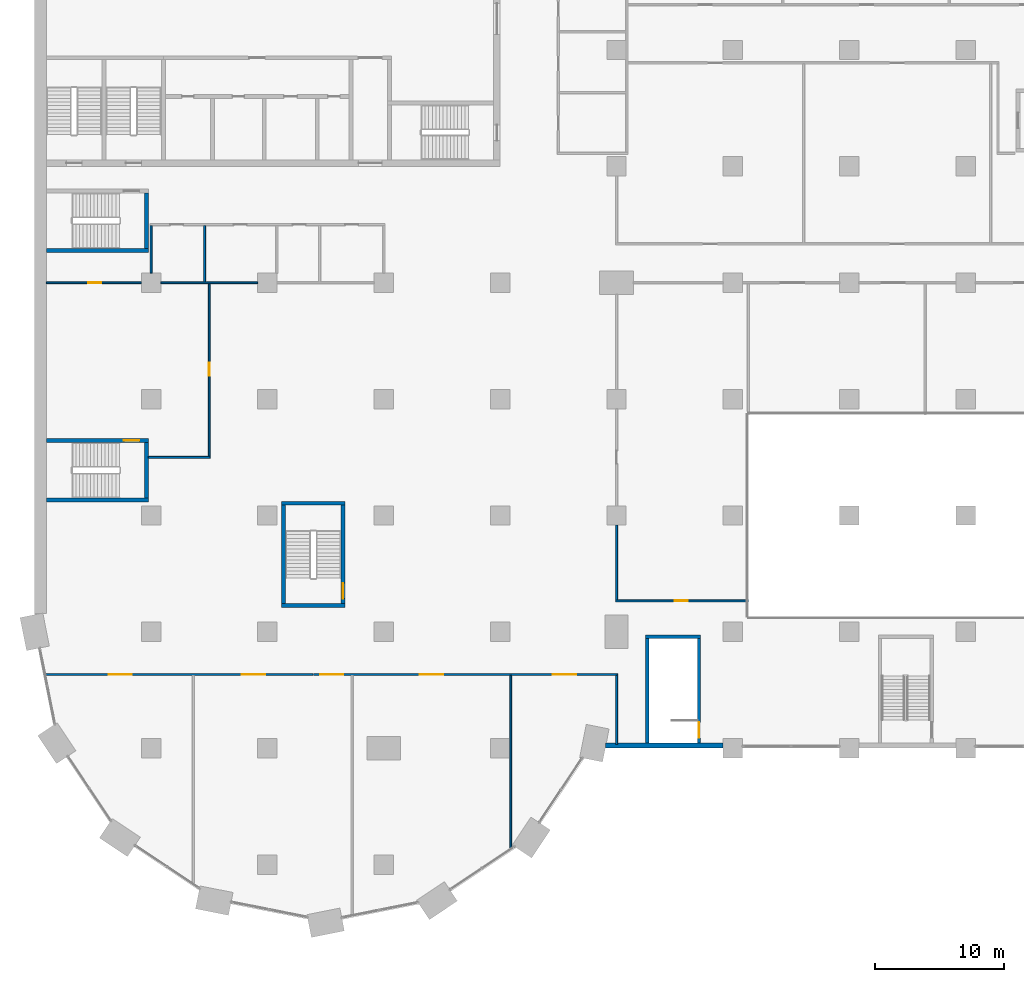
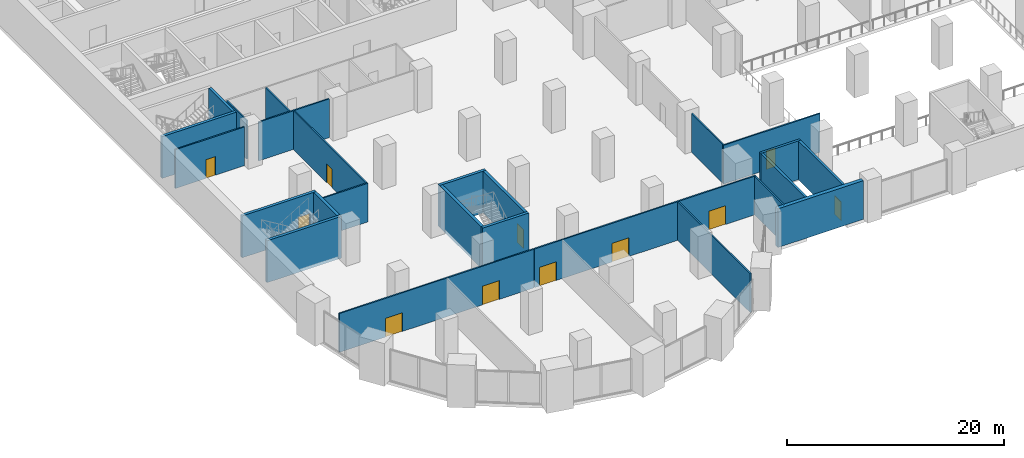
# One storey, part 13 of 32: 25 walls, 11 doors, 11 openings.
"""IFC4 building model written with IfcOpenShell, lengths in metres."""

from ifc_helpers import new_model, si_unit, direction, frame, frame_2d, origin, place, context, subcontext, project, spatial, rectangle, extrude, material, layer, layer_set, type_object, element, fill, save


model = new_model("IFC4")

# Units and contexts
model_context = context("Model", 3, precision=1e-05, world=origin(), true_north=direction((0.0, 1.0)))
body_context = subcontext(model_context, "Body", "Model", "MODEL_VIEW")
ifc_project = project(units=[si_unit("LENGTHUNIT", "METRE"), si_unit("AREAUNIT", "SQUARE_METRE"), si_unit("VOLUMEUNIT", "CUBIC_METRE"), si_unit("PLANEANGLEUNIT", "RADIAN"), si_unit("MASSUNIT", "GRAM", prefix="KILO")], contexts=[model_context])

# Site, building, storey
site_placement = place(None, origin())
site = spatial("IfcSite", under=ifc_project, at=site_placement, CompositionType="ELEMENT")
building_placement = place(site_placement, origin())
building = spatial("IfcBuilding", under=site, at=building_placement, Name="Hunhe Ridgeline Campus", CompositionType="ELEMENT")
storey_placement = place(building_placement, frame((0.0, 0.0, 26.39990234375)))
storey = spatial("IfcBuildingStorey", under=building, at=storey_placement, Name="L05", CompositionType="ELEMENT", Elevation=26.39990234375)

# Wall, opening, door
ifc_material_1 = material(Name="Plastered blockwork", Category="masonry")
ifc_layer_1 = layer(ifc_material_1, 0.14990234375)
ifc_layer_set_1 = layer_set([ifc_layer_1], Name="Blockwork partition 150")
wall_type_1 = type_object("IfcWallType", Name="Blockwork partition 150", PredefinedType="PARTITIONING", material=ifc_layer_set_1)
wall_1_placement = place(storey_placement, frame((55.199951171875, 29.39990234375, 0.0), z_axis=(0.0, 0.0, 1.0), x_axis=(-1.0, 0.0, 0.0)))
wall_1 = element("IfcWall", 1, at=wall_1_placement, inside=storey, type_object=wall_type_1, Name="L05 partition", PredefinedType="PARTITIONING", context=body_context, shape_type="SweptSolid", body=[
    extrude(rectangle(XDim=10.27490234375, YDim=0.14990234375, at=frame_2d((5.137451171875, 0.0))), origin(), (0.0, 0.0, 1.0), 4.35009765625),
])
opening_1_placement = place(wall_1_placement, frame((4.699951171875, 0.0, 0.0)))
opening_1 = element("IfcOpeningElement", 2, at=opening_1_placement, cuts=wall_1, Name="Opening PD608", PredefinedType="OPENING", context=body_context, shape_type="SweptSolid", body=[
    extrude(rectangle(XDim=1.0, YDim=2.10009765625, at=frame_2d((0.5, 1.050048828125))), frame((0.0, 0.074951171875, 0.0), z_axis=(0.0, -1.0, 0.0), x_axis=(1.0, 0.0, 0.0)), (0.0, 0.0, 1.0), 0.14990234375),
])
ifc_material_2 = material(Name="Timber", Category="wood")
door_type_1 = type_object("IfcDoorType", Name="Podium timber door 1000x2100", OperationType="NOTDEFINED", PredefinedType="DOOR", material=ifc_material_2)
door_1_placement = place(opening_1_placement, origin())
door_1 = element("IfcDoor", 3, at=door_1_placement, inside=storey, type_object=door_type_1, Name="Archive Store door", OperationType="SINGLE_SWING_RIGHT", OverallHeight=2.10009765625, OverallWidth=1.0, PredefinedType="DOOR", context=body_context, shape_type="SweptSolid", body=[
    extrude(rectangle(XDim=1.0, YDim=2.10009765625, at=frame_2d((0.5, 1.050048828125))), frame((0.0, 0.02490234375, 0.0), z_axis=(0.0, -1.0, 0.0), x_axis=(1.0, 0.0, 0.0)), (0.0, 0.0, 1.0), 0.050048828125),
])
fill(opening_1, door_1)

# Walls
wall_2_placement = place(storey_placement, frame((45.0, 23.625, 0.0), z_axis=(0.0, 0.0, 1.0), x_axis=(0.0, -1.0, 0.0)))
element("IfcWall", 4, at=wall_2_placement, inside=storey, type_object=wall_type_1, Name="L05 partition", PredefinedType="PARTITIONING", context=body_context, shape_type="SweptSolid", body=[
    extrude(rectangle(XDim=5.324951171875, YDim=0.14990234375, at=frame_2d((2.66259765625, 0.0))), origin(), (0.0, 0.0, 1.0), 4.35009765625),
])
wall_3_placement = place(storey_placement, frame((45.0, 29.47509765625, 0.0), z_axis=(0.0, 0.0, 1.0), x_axis=(0.0, 1.0, 0.0)))
element("IfcWall", 5, at=wall_3_placement, inside=storey, type_object=wall_type_1, Name="L05 partition", PredefinedType="PARTITIONING", context=body_context, shape_type="SweptSolid", body=[
    extrude(rectangle(XDim=5.77490234375, YDim=0.14990234375, at=frame_2d((2.887451171875, 0.0))), origin(), (0.0, 0.0, 1.0), 4.35009765625),
])

# Wall, opening, door
wall_4_placement = place(storey_placement, frame((0.89990234375, 54.0, 0.0), z_axis=(0.0, 0.0, 1.0), x_axis=(1.0, 0.0, 0.0)))
wall_4 = element("IfcWall", 6, at=wall_4_placement, inside=storey, type_object=wall_type_1, Name="L05 partition", PredefinedType="PARTITIONING", context=body_context, shape_type="SweptSolid", body=[
    extrude(rectangle(XDim=7.35009765625, YDim=0.14990234375, at=frame_2d((3.675048828125, 0.0))), origin(), (0.0, 0.0, 1.0), 4.35009765625),
])
opening_2_placement = place(wall_4_placement, frame((3.25, 0.0, 0.0)))
opening_2 = element("IfcOpeningElement", 7, at=opening_2_placement, cuts=wall_4, Name="Opening PD621", PredefinedType="OPENING", context=body_context, shape_type="SweptSolid", body=[
    extrude(rectangle(XDim=1.0, YDim=2.10009765625, at=frame_2d((0.5, 1.050048828125))), frame((0.0, 0.074951171875, 0.0), z_axis=(0.0, -1.0, 0.0), x_axis=(1.0, 0.0, 0.0)), (0.0, 0.0, 1.0), 0.14990234375),
])
door_2_placement = place(opening_2_placement, origin())
door_2 = element("IfcDoor", 8, at=door_2_placement, inside=storey, type_object=door_type_1, Name="Archivist Office door", OperationType="SINGLE_SWING_RIGHT", OverallHeight=2.10009765625, OverallWidth=1.0, PredefinedType="DOOR", context=body_context, shape_type="SweptSolid", body=[
    extrude(rectangle(XDim=1.0, YDim=2.10009765625, at=frame_2d((0.5, 1.050048828125))), frame((0.0, 0.02490234375, 0.0), z_axis=(0.0, -1.0, 0.0), x_axis=(1.0, 0.0, 0.0)), (0.0, 0.0, 1.0), 0.050048828125),
])
fill(opening_2, door_2)

# Wall
wall_5_placement = place(storey_placement, frame((9.75, 54.0, 0.0), z_axis=(0.0, 0.0, 1.0), x_axis=(1.0, 0.0, 0.0)))
element("IfcWall", 9, at=wall_5_placement, inside=storey, type_object=wall_type_1, Name="L05 partition", PredefinedType="PARTITIONING", context=body_context, shape_type="SweptSolid", body=[
    extrude(rectangle(XDim=7.5, YDim=0.14990234375, at=frame_2d((3.75, 0.0))), origin(), (0.0, 0.0, 1.0), 4.35009765625),
])

# Wall, openings, doors
wall_6_placement = place(storey_placement, frame((0.842041015625, 23.699951171875, 0.0), z_axis=(0.0, 0.0, 1.0), x_axis=(1.0, 0.0, 0.0)))
wall_6 = element("IfcWall", 10, at=wall_6_placement, inside=storey, type_object=wall_type_1, Name="L05 partition", PredefinedType="PARTITIONING", context=body_context, shape_type="SweptSolid", body=[
    extrude(rectangle(XDim=20.677978515625, YDim=0.14990234375, at=frame_2d((10.3388671875, 0.0))), origin(), (0.0, 0.0, 1.0), 4.35009765625),
])
opening_3_placement = place(wall_6_placement, frame((4.8701171875, 0.0, 0.0)))
opening_3 = element("IfcOpeningElement", 11, at=opening_3_placement, cuts=wall_6, Name="Opening PD615", PredefinedType="OPENING", context=body_context, shape_type="SweptSolid", body=[
    extrude(rectangle(XDim=1.800048828125, YDim=2.10009765625, at=frame_2d((0.89990234375, 1.050048828125))), frame((0.0, 0.074951171875, 0.0), z_axis=(0.0, -1.0, 0.0), x_axis=(1.0, 0.0, 0.0)), (0.0, 0.0, 1.0), 0.14990234375),
])
opening_4_placement = place(wall_6_placement, frame((15.180908203125, 0.0, 0.0)))
opening_4 = element("IfcOpeningElement", 12, at=opening_4_placement, cuts=wall_6, Name="Opening PD616", PredefinedType="OPENING", context=body_context, shape_type="SweptSolid", body=[
    extrude(rectangle(XDim=1.800048828125, YDim=2.10009765625, at=frame_2d((0.89990234375, 1.050048828125))), frame((0.0, 0.074951171875, 0.0), z_axis=(0.0, -1.0, 0.0), x_axis=(1.0, 0.0, 0.0)), (0.0, 0.0, 1.0), 0.14990234375),
])
door_type_2 = type_object("IfcDoorType", Name="Podium timber double door 1800x2100", OperationType="NOTDEFINED", PredefinedType="DOOR", material=ifc_material_2)
door_3_placement = place(opening_3_placement, origin())
door_3 = element("IfcDoor", 13, at=door_3_placement, inside=storey, type_object=door_type_2, Name="Study Rooms door", OperationType="DOUBLE_DOOR_SINGLE_SWING", OverallHeight=2.10009765625, OverallWidth=1.800048828125, PredefinedType="DOOR", context=body_context, shape_type="SweptSolid", body=[
    extrude(rectangle(XDim=1.800048828125, YDim=2.10009765625, at=frame_2d((0.89990234375, 1.050048828125))), frame((0.0, 0.02490234375, 0.0), z_axis=(0.0, -1.0, 0.0), x_axis=(1.0, 0.0, 0.0)), (0.0, 0.0, 1.0), 0.050048828125),
])
fill(opening_3, door_3)
door_4_placement = place(opening_4_placement, origin())
door_4 = element("IfcDoor", 14, at=door_4_placement, inside=storey, type_object=door_type_2, Name="Study Rooms door", OperationType="DOUBLE_DOOR_SINGLE_SWING", OverallHeight=2.10009765625, OverallWidth=1.800048828125, PredefinedType="DOOR", context=body_context, shape_type="SweptSolid", body=[
    extrude(rectangle(XDim=1.800048828125, YDim=2.10009765625, at=frame_2d((0.89990234375, 1.050048828125))), frame((0.0, 0.02490234375, 0.0), z_axis=(0.0, -1.0, 0.0), x_axis=(1.0, 0.0, 0.0)), (0.0, 0.0, 1.0), 0.050048828125),
])
fill(opening_4, door_4)

wall_7_placement = place(storey_placement, frame((21.580078125, 23.699951171875, 0.0), z_axis=(0.0, 0.0, 1.0), x_axis=(1.0, 0.0, 0.0)))
wall_7 = element("IfcWall", 15, at=wall_7_placement, inside=storey, type_object=wall_type_1, Name="L05 partition", PredefinedType="PARTITIONING", context=body_context, shape_type="SweptSolid", body=[
    extrude(rectangle(XDim=23.494873046875, YDim=0.14990234375, at=frame_2d((11.74755859375, 0.0))), origin(), (0.0, 0.0, 1.0), 4.35009765625),
])
opening_5_placement = place(wall_7_placement, frame((0.5, 0.0, 0.0)))
opening_5 = element("IfcOpeningElement", 16, at=opening_5_placement, cuts=wall_7, Name="Opening PD617", PredefinedType="OPENING", context=body_context, shape_type="SweptSolid", body=[
    extrude(rectangle(XDim=1.800048828125, YDim=2.10009765625, at=frame_2d((0.89990234375, 1.050048828125))), frame((0.0, 0.074951171875, 0.0), z_axis=(0.0, -1.0, 0.0), x_axis=(1.0, 0.0, 0.0)), (0.0, 0.0, 1.0), 0.14990234375),
])
opening_6_placement = place(wall_7_placement, frame((8.215087890625, 0.0, 0.0)))
opening_6 = element("IfcOpeningElement", 17, at=opening_6_placement, cuts=wall_7, Name="Opening PD618", PredefinedType="OPENING", context=body_context, shape_type="SweptSolid", body=[
    extrude(rectangle(XDim=1.800048828125, YDim=2.10009765625, at=frame_2d((0.89990234375, 1.050048828125))), frame((0.0, 0.074951171875, 0.0), z_axis=(0.0, -1.0, 0.0), x_axis=(1.0, 0.0, 0.0)), (0.0, 0.0, 1.0), 0.14990234375),
])
opening_7_placement = place(wall_7_placement, frame((18.488037109375, 0.0, 0.0)))
opening_7 = element("IfcOpeningElement", 18, at=opening_7_placement, cuts=wall_7, Name="Opening PD619", PredefinedType="OPENING", context=body_context, shape_type="SweptSolid", body=[
    extrude(rectangle(XDim=1.800048828125, YDim=2.10009765625, at=frame_2d((0.89990234375, 1.050048828125))), frame((0.0, 0.074951171875, 0.0), z_axis=(0.0, -1.0, 0.0), x_axis=(1.0, 0.0, 0.0)), (0.0, 0.0, 1.0), 0.14990234375),
])
door_5_placement = place(opening_5_placement, origin())
door_5 = element("IfcDoor", 19, at=door_5_placement, inside=storey, type_object=door_type_2, Name="Study Rooms door", OperationType="DOUBLE_DOOR_SINGLE_SWING", OverallHeight=2.10009765625, OverallWidth=1.800048828125, PredefinedType="DOOR", context=body_context, shape_type="SweptSolid", body=[
    extrude(rectangle(XDim=1.800048828125, YDim=2.10009765625, at=frame_2d((0.89990234375, 1.050048828125))), frame((0.0, 0.02490234375, 0.0), z_axis=(0.0, -1.0, 0.0), x_axis=(1.0, 0.0, 0.0)), (0.0, 0.0, 1.0), 0.050048828125),
])
fill(opening_5, door_5)
door_6_placement = place(opening_6_placement, origin())
door_6 = element("IfcDoor", 20, at=door_6_placement, inside=storey, type_object=door_type_2, Name="Postgraduate Study Room door", OperationType="DOUBLE_DOOR_SINGLE_SWING", OverallHeight=2.10009765625, OverallWidth=1.800048828125, PredefinedType="DOOR", context=body_context, shape_type="SweptSolid", body=[
    extrude(rectangle(XDim=1.800048828125, YDim=2.10009765625, at=frame_2d((0.89990234375, 1.050048828125))), frame((0.0, 0.02490234375, 0.0), z_axis=(0.0, -1.0, 0.0), x_axis=(1.0, 0.0, 0.0)), (0.0, 0.0, 1.0), 0.050048828125),
])
fill(opening_6, door_6)
door_7_placement = place(opening_7_placement, origin())
door_7 = element("IfcDoor", 21, at=door_7_placement, inside=storey, type_object=door_type_2, Name="Study Lounge door", OperationType="DOUBLE_DOOR_SINGLE_SWING", OverallHeight=2.10009765625, OverallWidth=1.800048828125, PredefinedType="DOOR", context=body_context, shape_type="SweptSolid", body=[
    extrude(rectangle(XDim=1.800048828125, YDim=2.10009765625, at=frame_2d((0.89990234375, 1.050048828125))), frame((0.0, 0.02490234375, 0.0), z_axis=(0.0, -1.0, 0.0), x_axis=(1.0, 0.0, 0.0)), (0.0, 0.0, 1.0), 0.050048828125),
])
fill(opening_7, door_7)

# Wall
wall_8_placement = place(storey_placement, frame((36.818115234375, 10.26708984375, 0.0), z_axis=(0.0, 0.0, 1.0), x_axis=(0.0, 1.0, 0.0)))
element("IfcWall", 22, at=wall_8_placement, inside=storey, type_object=wall_type_1, Name="L05 partition", PredefinedType="PARTITIONING", context=body_context, shape_type="SweptSolid", body=[
    extrude(rectangle(XDim=13.35791015625, YDim=0.14990234375, at=frame_2d((6.678955078125, 0.0))), origin(), (0.0, 0.0, 1.0), 4.35009765625),
])

# Wall, opening, door
wall_9_placement = place(storey_placement, frame((13.5, 53.925048828125, 0.0), z_axis=(0.0, 0.0, 1.0), x_axis=(0.0, -1.0, 0.0)))
wall_9 = element("IfcWall", 23, at=wall_9_placement, inside=storey, type_object=wall_type_1, Name="L05 partition", PredefinedType="PARTITIONING", context=body_context, shape_type="SweptSolid", body=[
    extrude(rectangle(XDim=13.35009765625, YDim=0.14990234375, at=frame_2d((6.675048828125, 0.0))), origin(), (0.0, 0.0, 1.0), 4.35009765625),
])
opening_8_placement = place(wall_9_placement, frame((6.10009765625, 0.0, 0.0)))
opening_8 = element("IfcOpeningElement", 24, at=opening_8_placement, cuts=wall_9, Name="Opening PD620", PredefinedType="OPENING", context=body_context, shape_type="SweptSolid", body=[
    extrude(rectangle(XDim=1.0, YDim=2.10009765625, at=frame_2d((0.5, 1.050048828125))), frame((0.0, 0.074951171875, 0.0), z_axis=(0.0, -1.0, 0.0), x_axis=(1.0, 0.0, 0.0)), (0.0, 0.0, 1.0), 0.14990234375),
])
door_8_placement = place(opening_8_placement, origin())
door_8 = element("IfcDoor", 25, at=door_8_placement, inside=storey, type_object=door_type_1, Name="Archivist Office door", OperationType="SINGLE_SWING_LEFT", OverallHeight=2.10009765625, OverallWidth=1.0, PredefinedType="DOOR", context=body_context, shape_type="SweptSolid", body=[
    extrude(rectangle(XDim=1.0, YDim=2.10009765625, at=frame_2d((0.5, 1.050048828125))), frame((0.0, 0.02490234375, 0.0), z_axis=(0.0, -1.0, 0.0), x_axis=(1.0, 0.0, 0.0)), (0.0, 0.0, 1.0), 0.050048828125),
])
fill(opening_8, door_8)

# Walls
wall_10_placement = place(storey_placement, frame((13.574951171875, 40.5, 0.0), z_axis=(0.0, 0.0, 1.0), x_axis=(-1.0, 0.0, 0.0)))
element("IfcWall", 26, at=wall_10_placement, inside=storey, type_object=wall_type_1, Name="L05 partition", PredefinedType="PARTITIONING", context=body_context, shape_type="SweptSolid", body=[
    extrude(rectangle(XDim=4.77490234375, YDim=0.14990234375, at=frame_2d((2.387451171875, 0.0))), origin(), (0.0, 0.0, 1.0), 4.35009765625),
])
wall_11_placement = place(storey_placement, frame((13.137939453125, 54.074951171875, 0.0), z_axis=(0.0, 0.0, 1.0), x_axis=(0.0, 1.0, 0.0)))
element("IfcWall", 27, at=wall_11_placement, inside=storey, type_object=wall_type_1, Name="L05 partition", PredefinedType="PARTITIONING", context=body_context, shape_type="SweptSolid", body=[
    extrude(rectangle(XDim=4.35009765625, YDim=0.14990234375, at=frame_2d((2.175048828125, 0.0))), origin(), (0.0, 0.0, 1.0), 4.35009765625),
])
wall_12_placement = place(storey_placement, frame((9.0, 54.75, 0.0), z_axis=(0.0, 0.0, 1.0), x_axis=(0.0, 1.0, 0.0)))
element("IfcWall", 28, at=wall_12_placement, inside=storey, type_object=wall_type_1, Name="L05 partition", PredefinedType="PARTITIONING", context=body_context, shape_type="SweptSolid", body=[
    extrude(rectangle(XDim=3.675048828125, YDim=0.14990234375, at=frame_2d((1.83740234375, 0.0))), origin(), (0.0, 0.0, 1.0), 4.35009765625),
])
ifc_material_3 = material(Name="Concrete C40", Category="concrete")
ifc_layer_2 = layer(ifc_material_3, 0.39990234375)
ifc_layer_set_2 = layer_set([ifc_layer_2], Name="Stair shaft facade wall 400 C40")
wall_type_2 = type_object("IfcWallType", Name="Stair shaft facade wall 400 C40", PredefinedType="SOLIDWALL", material=ifc_layer_set_2)
wall_13_placement = place(storey_placement, frame((53.25, 18.199951171875, 0.0), z_axis=(0.0, 0.0, 1.0), x_axis=(-1.0, 0.0, 0.0)))
element("IfcWall", 29, at=wall_13_placement, inside=storey, type_object=wall_type_2, Name="L05 stair facade wall", PredefinedType="SOLIDWALL", context=body_context, shape_type="SweptSolid", body=[
    extrude(rectangle(XDim=9.0927734375, YDim=0.39990234375, at=frame_2d((4.54638671875, 0.0))), origin(), (0.0, 0.0, 1.0), 4.35009765625),
])
ifc_layer_3 = layer(ifc_material_3, 0.25)
ifc_layer_set_3 = layer_set([ifc_layer_3], Name="Stair shaft wall 250 C40")
wall_type_3 = type_object("IfcWallType", Name="Stair shaft wall 250 C40", PredefinedType="SOLIDWALL", material=ifc_layer_set_3)
wall_14_placement = place(storey_placement, frame((47.375, 18.39990234375, 0.0), z_axis=(0.0, 0.0, 1.0), x_axis=(0.0, 1.0, 0.0)))
element("IfcWall", 30, at=wall_14_placement, inside=storey, type_object=wall_type_3, Name="L05 PS1 shaft wall", PredefinedType="SOLIDWALL", context=body_context, shape_type="SweptSolid", body=[
    extrude(rectangle(XDim=8.10009765625, YDim=0.25, at=frame_2d((4.050048828125, 0.0))), origin(), (0.0, 0.0, 1.0), 4.35009765625),
])

# Wall, opening, door
wall_15_placement = place(storey_placement, frame((51.375, 26.5, 0.0), z_axis=(0.0, 0.0, 1.0), x_axis=(0.0, -1.0, 0.0)))
wall_15 = element("IfcWall", 31, at=wall_15_placement, inside=storey, type_object=wall_type_3, Name="L05 PS1 shaft wall", PredefinedType="SOLIDWALL", context=body_context, shape_type="SweptSolid", body=[
    extrude(rectangle(XDim=8.10009765625, YDim=0.25, at=frame_2d((4.050048828125, 0.0))), origin(), (0.0, 0.0, 1.0), 4.35009765625),
])
opening_9_placement = place(wall_15_placement, frame((6.5, 0.0, 0.0)))
opening_9 = element("IfcOpeningElement", 32, at=opening_9_placement, cuts=wall_15, Name="Opening PD601", PredefinedType="OPENING", context=body_context, shape_type="SweptSolid", body=[
    extrude(rectangle(XDim=1.199951171875, YDim=2.10009765625, at=frame_2d((0.60009765625, 1.050048828125))), frame((0.0, 0.125, 0.0), z_axis=(0.0, -1.0, 0.0), x_axis=(1.0, 0.0, 0.0)), (0.0, 0.0, 1.0), 0.25),
])
ifc_material_4 = material(Name="Steel Q235", Category="steel")
door_type_3 = type_object("IfcDoorType", Name="Podium fire door 1200x2100 FD60", OperationType="NOTDEFINED", PredefinedType="DOOR", material=ifc_material_4)
door_9_placement = place(opening_9_placement, origin())
door_9 = element("IfcDoor", 33, at=door_9_placement, inside=storey, type_object=door_type_3, Name="Stair door PS1", OperationType="SINGLE_SWING_LEFT", OverallHeight=2.10009765625, OverallWidth=1.199951171875, PredefinedType="DOOR", context=body_context, shape_type="SweptSolid", body=[
    extrude(rectangle(XDim=1.199951171875, YDim=2.10009765625, at=frame_2d((0.60009765625, 1.050048828125))), frame((0.0, 0.02490234375, 0.0), z_axis=(0.0, -1.0, 0.0), x_axis=(1.0, 0.0, 0.0)), (0.0, 0.0, 1.0), 0.050048828125),
])
fill(opening_9, door_9)

# Walls
wall_16_placement = place(storey_placement, frame((47.25, 26.625, 0.0), z_axis=(0.0, 0.0, 1.0), x_axis=(1.0, 0.0, 0.0)))
element("IfcWall", 34, at=wall_16_placement, inside=storey, type_object=wall_type_3, Name="L05 PS1 shaft wall", PredefinedType="SOLIDWALL", context=body_context, shape_type="SweptSolid", body=[
    extrude(rectangle(XDim=4.25, YDim=0.25, at=frame_2d((2.125, 0.0))), origin(), (0.0, 0.0, 1.0), 4.35009765625),
])
ifc_material_5 = material(Name="Concrete C80", Category="concrete")
ifc_layer_4 = layer(ifc_material_5, 0.300048828125)
ifc_layer_set_4 = layer_set([ifc_layer_4], Name="Stair wall 300 reinforced concrete C80")
wall_type_4 = type_object("IfcWallType", Name="Stair wall 300 reinforced concrete C80", PredefinedType="SOLIDWALL", material=ifc_layer_set_4)
for number, where, z_axis, x_axis, name in (
    (35, (19.10009765625, 29.050048828125, -0.349853515625), (0.0, 0.0, 1.0), (1.0, 0.0, 0.0), "L05 core wall 1"),
    (36, (19.10009765625, 36.949951171875, -0.349853515625), (0.0, 0.0, 1.0), (1.0, 0.0, 0.0), "L05 core wall 2"),
):
    element("IfcWall", number, at=place(storey_placement, frame(where, z_axis=z_axis, x_axis=x_axis)), inside=storey, type_object=wall_type_4, Name=name, PredefinedType="SOLIDWALL", context=body_context, shape_type="SweptSolid", body=[
        extrude(rectangle(XDim=4.89990234375, YDim=0.300048828125, at=frame_2d((2.449951171875, 0.0))), origin(), (0.0, 0.0, 1.0), 4.699951171875),
    ])
wall_17_placement = place(storey_placement, frame((0.89990234375, 37.199951171875, -0.349853515625), z_axis=(0.0, 0.0, 1.0), x_axis=(1.0, 0.0, 0.0)))
element("IfcWall", 37, at=wall_17_placement, inside=storey, type_object=wall_type_4, Name="L05 core wall 3", PredefinedType="SOLIDWALL", context=body_context, shape_type="SweptSolid", body=[
    extrude(rectangle(XDim=7.900146484375, YDim=0.300048828125, at=frame_2d((3.9501953125, 0.0))), origin(), (0.0, 0.0, 1.0), 4.699951171875),
])

# Wall, opening, door
wall_18_placement = place(storey_placement, frame((0.89990234375, 41.800048828125, -0.349853515625), z_axis=(0.0, 0.0, 1.0), x_axis=(1.0, 0.0, 0.0)))
wall_18 = element("IfcWall", 38, at=wall_18_placement, inside=storey, type_object=wall_type_4, Name="L05 core wall 4", PredefinedType="SOLIDWALL", context=body_context, shape_type="SweptSolid", body=[
    extrude(rectangle(XDim=7.900146484375, YDim=0.300048828125, at=frame_2d((3.9501953125, 0.0))), origin(), (0.0, 0.0, 1.0), 4.699951171875),
])
opening_10_placement = place(wall_18_placement, frame((6.0, 0.0, 0.35009765625)))
opening_10 = element("IfcOpeningElement", 39, at=opening_10_placement, cuts=wall_18, Name="Opening CD21", PredefinedType="OPENING", context=body_context, shape_type="SweptSolid", body=[
    extrude(rectangle(XDim=1.199951171875, YDim=2.10009765625, at=frame_2d((0.60009765625, 1.050048828125))), frame((0.0, 0.14990234375, 0.0), z_axis=(0.0, -1.0, 0.0), x_axis=(1.0, 0.0, 0.0)), (0.0, 0.0, 1.0), 0.300048828125),
])
ifc_material_6 = material(Name="Hollow metal fire door leaf")
door_type_4 = type_object("IfcDoorType", Name="Stair door 1200x2100 FD60", OperationType="SINGLE_SWING_LEFT", PredefinedType="DOOR", material=ifc_material_6)
door_10_placement = place(opening_10_placement, origin())
door_10 = element("IfcDoor", 40, at=door_10_placement, inside=storey, type_object=door_type_4, Name="L05 door W1", OperationType="SINGLE_SWING_LEFT", OverallHeight=2.10009765625, OverallWidth=1.199951171875, PredefinedType="DOOR", context=body_context, shape_type="SweptSolid", body=[
    extrude(rectangle(XDim=1.199951171875, YDim=2.10009765625, at=frame_2d((0.60009765625, 1.050048828125))), frame((0.0, 0.02490234375, 0.0), z_axis=(0.0, -1.0, 0.0), x_axis=(1.0, 0.0, 0.0)), (0.0, 0.0, 1.0), 0.050048828125),
])
fill(opening_10, door_10)

# Walls
wall_19_placement = place(storey_placement, frame((0.89990234375, 56.5, -0.349853515625), z_axis=(0.0, 0.0, 1.0), x_axis=(1.0, 0.0, 0.0)))
element("IfcWall", 41, at=wall_19_placement, inside=storey, type_object=wall_type_4, Name="L05 core wall 5", PredefinedType="SOLIDWALL", context=body_context, shape_type="SweptSolid", body=[
    extrude(rectangle(XDim=7.900146484375, YDim=0.300048828125, at=frame_2d((3.9501953125, 0.0))), origin(), (0.0, 0.0, 1.0), 4.699951171875),
])
wall_20_placement = place(storey_placement, frame((8.64990234375, 37.35009765625, -0.349853515625), z_axis=(0.0, 0.0, 1.0), x_axis=(0.0, 1.0, 0.0)))
element("IfcWall", 42, at=wall_20_placement, inside=storey, type_object=wall_type_4, Name="L05 core wall 40", PredefinedType="SOLIDWALL", context=body_context, shape_type="SweptSolid", body=[
    extrude(rectangle(XDim=4.2998046875, YDim=0.300048828125, at=frame_2d((2.14990234375, 0.0))), origin(), (0.0, 0.0, 1.0), 4.699951171875),
])
wall_21_placement = place(storey_placement, frame((8.64990234375, 56.64990234375, -0.349853515625), z_axis=(0.0, 0.0, 1.0), x_axis=(0.0, 1.0, 0.0)))
element("IfcWall", 43, at=wall_21_placement, inside=storey, type_object=wall_type_4, Name="L05 core wall 41", PredefinedType="SOLIDWALL", context=body_context, shape_type="SweptSolid", body=[
    extrude(rectangle(XDim=4.300048828125, YDim=0.300048828125, at=frame_2d((2.14990234375, 0.0))), origin(), (0.0, 0.0, 1.0), 4.699951171875),
])
wall_22_placement = place(storey_placement, frame((19.25, 29.199951171875, -0.349853515625), z_axis=(0.0, 0.0, 1.0), x_axis=(0.0, 1.0, 0.0)))
element("IfcWall", 44, at=wall_22_placement, inside=storey, type_object=wall_type_4, Name="L05 core wall 49", PredefinedType="SOLIDWALL", context=body_context, shape_type="SweptSolid", body=[
    extrude(rectangle(XDim=7.60009765625, YDim=0.300048828125, at=frame_2d((3.800048828125, 0.0))), origin(), (0.0, 0.0, 1.0), 4.699951171875),
])

# Wall, opening, door
wall_23_placement = place(storey_placement, frame((23.85009765625, 29.199951171875, -0.349853515625), z_axis=(0.0, 0.0, 1.0), x_axis=(0.0, 1.0, 0.0)))
wall_23 = element("IfcWall", 45, at=wall_23_placement, inside=storey, type_object=wall_type_4, Name="L05 core wall 54", PredefinedType="SOLIDWALL", context=body_context, shape_type="SweptSolid", body=[
    extrude(rectangle(XDim=7.60009765625, YDim=0.300048828125, at=frame_2d((3.800048828125, 0.0))), origin(), (0.0, 0.0, 1.0), 4.699951171875),
])
opening_11_placement = place(wall_23_placement, frame((0.375, 0.0, 0.35009765625)))
opening_11 = element("IfcOpeningElement", 46, at=opening_11_placement, cuts=wall_23, Name="Opening CD23", PredefinedType="OPENING", context=body_context, shape_type="SweptSolid", body=[
    extrude(rectangle(XDim=1.199951171875, YDim=2.10009765625, at=frame_2d((0.60009765625, 1.050048828125))), frame((0.0, 0.14990234375, 0.0), z_axis=(0.0, -1.0, 0.0), x_axis=(1.0, 0.0, 0.0)), (0.0, 0.0, 1.0), 0.300048828125),
])
door_11_placement = place(opening_11_placement, frame((1.199951171875, 0.0, 0.0), z_axis=(0.0, 0.0, 1.0), x_axis=(-1.0, 0.0, 0.0)))
door_11 = element("IfcDoor", 47, at=door_11_placement, inside=storey, type_object=door_type_4, Name="L05 door W3", OperationType="SINGLE_SWING_RIGHT", OverallHeight=2.10009765625, OverallWidth=1.199951171875, PredefinedType="DOOR", context=body_context, shape_type="SweptSolid", body=[
    extrude(rectangle(XDim=1.199951171875, YDim=2.10009765625, at=frame_2d((0.60009765625, 1.050048828125))), frame((0.0, 0.02490234375, 0.0), z_axis=(0.0, -1.0, 0.0), x_axis=(1.0, 0.0, 0.0)), (0.0, 0.0, 1.0), 0.050048828125),
])
fill(opening_11, door_11)

save(model, "model.ifc")
